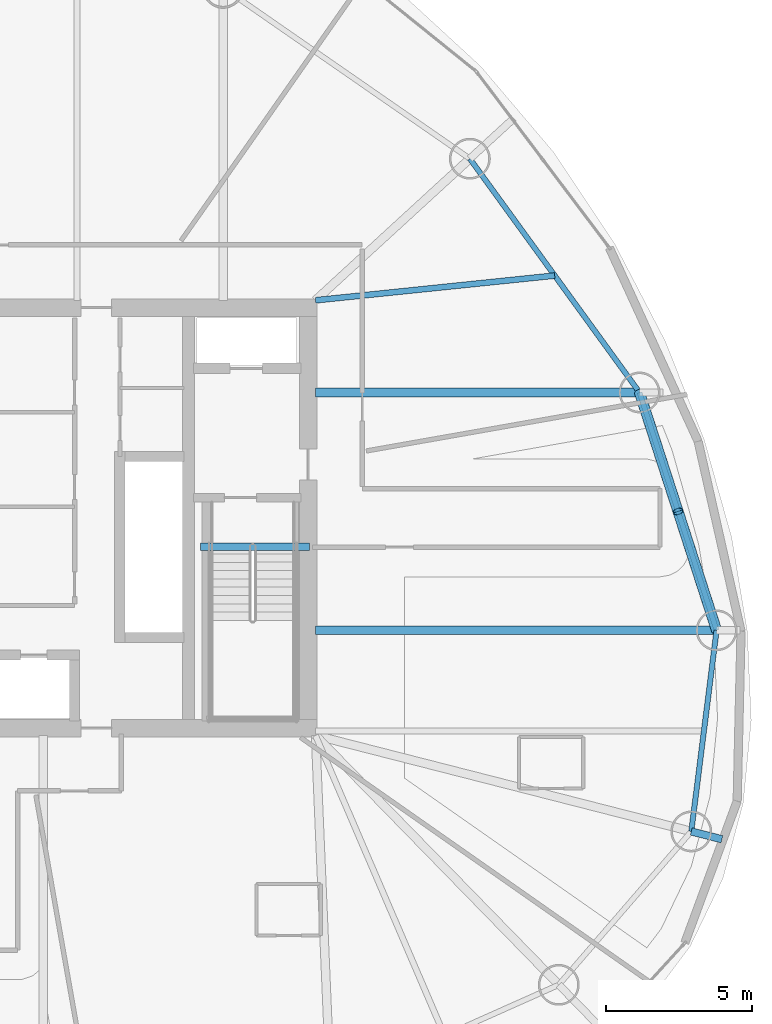
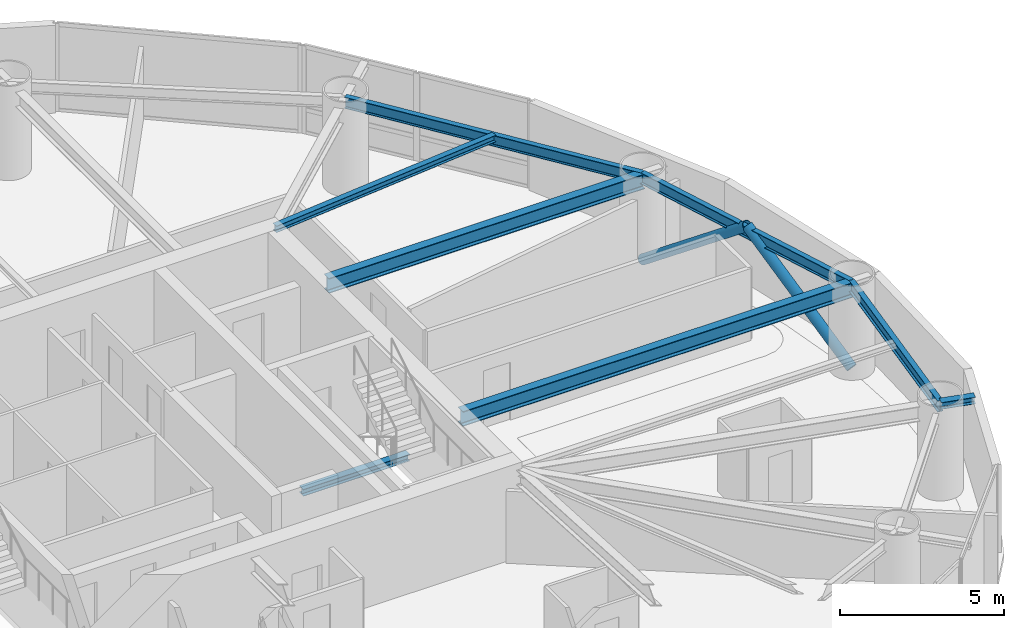
# One storey, part 10 of 20: 8 beams, 2 members.
"""IFC4 building model written with IfcOpenShell, lengths in metres."""

from ifc_helpers import new_model, si_unit, direction, frame, origin, origin_2d, place, context, subcontext, project, spatial, hollow_circle, i_section, extrude, material, material_profile, profile_set, type_object, element, save


model = new_model("IFC4")

# Units and contexts
model_context = context("Model", 3, precision=1e-05, world=origin(), true_north=direction((0.0, 1.0)))
body_context = subcontext(model_context, "Body", "Model", "MODEL_VIEW")
ifc_project = project(units=[si_unit("LENGTHUNIT", "METRE"), si_unit("AREAUNIT", "SQUARE_METRE"), si_unit("VOLUMEUNIT", "CUBIC_METRE"), si_unit("PLANEANGLEUNIT", "RADIAN"), si_unit("MASSUNIT", "GRAM", prefix="KILO")], contexts=[model_context])

# Site, building, storey
site_placement = place(None, origin())
site = spatial("IfcSite", under=ifc_project, at=site_placement, CompositionType="ELEMENT")
building_placement = place(site_placement, origin())
building = spatial("IfcBuilding", under=site, at=building_placement, Name="Bramvorn Convention Spire", CompositionType="ELEMENT")
storey_placement = place(building_placement, frame((0.0, 0.0, 155.300048828125)))
storey = spatial("IfcBuildingStorey", under=building, at=storey_placement, Name="L39", CompositionType="ELEMENT", Elevation=155.300048828125)

# Beams
ifc_material = material(Name="Steel CSA G40.21 Grade 350 (350W)", Category="steel")
ifc_material_profile_1 = material_profile(ifc_material, i_section(OverallWidth=0.201904296875, OverallDepth=0.2470703125, WebThickness=0.00732421875, FlangeThickness=0.010986328125, FilletRadius=0.011962890625, at=origin_2d()))
ifc_profile_set_1 = profile_set([ifc_material_profile_1], Name="Steel CSA G40.21 Grade 350 (350W) - W250X49")
beam_type_1 = type_object("IfcBeamType", Name="BM-W250X49", PredefinedType="JOIST", material=ifc_profile_set_1)
beam_1_placement = place(storey_placement, frame((49.25, 33.449951171875, 3.136474609375), z_axis=(0.994705076194, 0.102770673804, 0.0), x_axis=(-0.102770673804, 0.994705076194, 0.0)))
element("IfcBeam", 1, at=beam_1_placement, inside=storey, type_object=beam_type_1, Name="L39 composite floor joist 03", PredefinedType="JOIST", context=body_context, shape_type="SweptSolid", body=[
    extrude(i_section(OverallWidth=0.201904296875, OverallDepth=0.2470703125, WebThickness=0.00732421875, FlangeThickness=0.010986328125, FilletRadius=0.011962890625, at=origin_2d()), origin(), (0.0, 0.0, 1.0), 8.23388671875),
])
ifc_material_profile_2 = material_profile(ifc_material, i_section(OverallWidth=0.25390625, OverallDepth=0.2529296875, WebThickness=0.008544921875, FlangeThickness=0.01416015625, FilletRadius=0.011962890625, at=origin_2d()))
ifc_profile_set_2 = profile_set([ifc_material_profile_2], Name="Steel CSA G40.21 Grade 350 (350W) - W250X73")
beam_type_2 = type_object("IfcBeamType", Name="BM-W250X73", PredefinedType="BEAM", material=ifc_profile_set_2)
beam_2_placement = place(storey_placement, frame((62.11767578125, 15.26220703125, 3.133544921875), z_axis=(0.968868199624, -0.247577082457, 0.0), x_axis=(0.247577082457, 0.968868199624, 0.0)))
element("IfcBeam", 2, at=beam_2_placement, inside=storey, type_object=beam_type_2, Name="L39 slab-edge cantilever tip beam MC01", PredefinedType="BEAM", context=body_context, shape_type="SweptSolid", body=[
    extrude(i_section(OverallWidth=0.25390625, OverallDepth=0.2529296875, WebThickness=0.008544921875, FlangeThickness=0.01416015625, FilletRadius=0.011962890625, at=origin_2d()), origin(), (0.0, 0.0, 1.0), 1.081787109375),
])
beam_3_placement = place(storey_placement, frame((45.31005859375, 25.010009765625, -0.12646484375), z_axis=(1.0, 0.0, 0.0), x_axis=(0.0, 1.0, 0.0)))
element("IfcBeam", 3, at=beam_3_placement, inside=storey, type_object=beam_type_2, Name="L39 ST2 stair arrival header beam", PredefinedType="BEAM", context=body_context, shape_type="SweptSolid", body=[
    extrude(i_section(OverallWidth=0.25390625, OverallDepth=0.2529296875, WebThickness=0.008544921875, FlangeThickness=0.01416015625, FilletRadius=0.011962890625, at=origin_2d()), origin(), (0.0, 0.0, 1.0), 3.739990234375),
])
ifc_material_profile_3 = material_profile(ifc_material, i_section(OverallWidth=0.180908203125, OverallDepth=0.4169921875, WebThickness=0.010986328125, FlangeThickness=0.018310546875, FilletRadius=0.01611328125, at=origin_2d()))
ifc_profile_set_3 = profile_set([ifc_material_profile_3], Name="Steel CSA G40.21 Grade 350 (350W) - W410X85")
beam_type_3 = type_object("IfcBeamType", Name="BM-W410X85", PredefinedType="JOIST", material=ifc_profile_set_3)
beam_4_placement = place(storey_placement, frame((62.11767578125, 15.26220703125, 3.051513671875), z_axis=(0.124775053879, 0.992185056292, 0.0), x_axis=(-0.992185056292, 0.124775053879, 0.0)))
element("IfcBeam", 4, at=beam_4_placement, inside=storey, type_object=beam_type_3, Name="L39 mega-column ring beam 01", PredefinedType="JOIST", context=body_context, shape_type="SweptSolid", body=[
    extrude(i_section(OverallWidth=0.180908203125, OverallDepth=0.4169921875, WebThickness=0.010986328125, FlangeThickness=0.018310546875, FilletRadius=0.01611328125, at=origin_2d()), origin(), (0.0, 0.0, 1.0), 6.940185546875),
])
beam_5_placement = place(storey_placement, frame((62.983642578125, 22.148193359375, 3.051513671875), z_axis=(-0.308114853612, 0.951349166701, 0.0), x_axis=(-0.951349166701, -0.308114853612, 0.0)))
element("IfcBeam", 5, at=beam_5_placement, inside=storey, type_object=beam_type_3, Name="L39 mega-column ring beam 02", PredefinedType="JOIST", context=body_context, shape_type="SweptSolid", body=[
    extrude(i_section(OverallWidth=0.180908203125, OverallDepth=0.4169921875, WebThickness=0.010986328125, FlangeThickness=0.018310546875, FilletRadius=0.01611328125, at=origin_2d()), origin(), (0.0, 0.0, 1.0), 8.5615234375),
])
beam_6_placement = place(storey_placement, frame((60.345703125, 30.293212890625, 3.051513671875), z_axis=(-0.587401024629, 0.809296012757, 0.0), x_axis=(-0.809296012757, -0.587401024629, 0.0)))
element("IfcBeam", 6, at=beam_6_placement, inside=storey, type_object=beam_type_3, Name="L39 mega-column ring beam 03", PredefinedType="JOIST", context=body_context, shape_type="SweptSolid", body=[
    extrude(i_section(OverallWidth=0.180908203125, OverallDepth=0.4169921875, WebThickness=0.010986328125, FlangeThickness=0.018310546875, FilletRadius=0.01611328125, at=origin_2d()), origin(), (0.0, 0.0, 1.0), 9.892333984375),
])
ifc_material_profile_4 = material_profile(ifc_material, i_section(OverallWidth=0.2919921875, OverallDepth=0.551025390625, WebThickness=0.01513671875, FlangeThickness=0.0244140625, FilletRadius=0.01904296875, at=origin_2d()))
ifc_profile_set_4 = profile_set([ifc_material_profile_4], Name="Steel CSA G40.21 Grade 350 (350W) - W530X182")
beam_type_4 = type_object("IfcBeamType", Name="BM-W530X182", PredefinedType="BEAM", material=ifc_profile_set_4)
beam_7_placement = place(storey_placement, frame((49.25, 22.148193359375, 2.984375), z_axis=(1.0, 0.0, 0.0), x_axis=(0.0, 1.0, 0.0)))
element("IfcBeam", 7, at=beam_7_placement, inside=storey, type_object=beam_type_4, Name="L39 radial floor girder MC02", PredefinedType="BEAM", context=body_context, shape_type="SweptSolid", body=[
    extrude(i_section(OverallWidth=0.2919921875, OverallDepth=0.551025390625, WebThickness=0.01513671875, FlangeThickness=0.0244140625, FilletRadius=0.01904296875, at=origin_2d()), origin(), (0.0, 0.0, 1.0), 13.733642578125),
])
beam_8_placement = place(storey_placement, frame((49.25, 30.293212890625, 2.984375), z_axis=(1.0, 0.0, 0.0), x_axis=(0.0, 1.0, 0.0)))
element("IfcBeam", 8, at=beam_8_placement, inside=storey, type_object=beam_type_4, Name="L39 radial floor girder MC03", PredefinedType="BEAM", context=body_context, shape_type="SweptSolid", body=[
    extrude(i_section(OverallWidth=0.2919921875, OverallDepth=0.551025390625, WebThickness=0.01513671875, FlangeThickness=0.0244140625, FilletRadius=0.01904296875, at=origin_2d()), origin(), (0.0, 0.0, 1.0), 11.095703125),
])

# Members
ifc_material_profile_5 = material_profile(ifc_material, hollow_circle(Radius=0.177734375, WallThickness=0.015869140625, at=origin_2d()))
ifc_profile_set_5 = profile_set([ifc_material_profile_5], Name="Steel CSA G40.21 Grade 350 (350W) - CHS356X16")
member_type = type_object("IfcMemberType", Name="MBR-CHS356X16", PredefinedType="BRACE", material=ifc_profile_set_5)
for number, where, z_axis, x_axis, name in (
    (9, (62.983642578125, 22.148193359375, 0.0), (-0.245105274589, 0.75686802766, 0.605866481227), (-0.951357525158, -0.308089044476, 0.0), "L39 perimeter Gothic lancet brace 2A"),
    (10, (60.345703125, 30.293212890625, 0.0), (0.245147921079, -0.756859609759, 0.605859742768), (0.951340807692, 0.308140662068, 0.0), "L39 perimeter Gothic lancet brace 2B"),
):
    element("IfcMember", number, at=place(storey_placement, frame(where, z_axis=z_axis, x_axis=x_axis)), inside=storey, type_object=member_type, Name=name, PredefinedType="BRACE", context=body_context, shape_type="SweptSolid", body=[
        extrude(hollow_circle(Radius=0.177734375, WallThickness=0.015869140625, at=origin_2d()), origin(), (0.0, 0.0, 1.0), 5.380859375),
    ])

save(model, "model.ifc")
